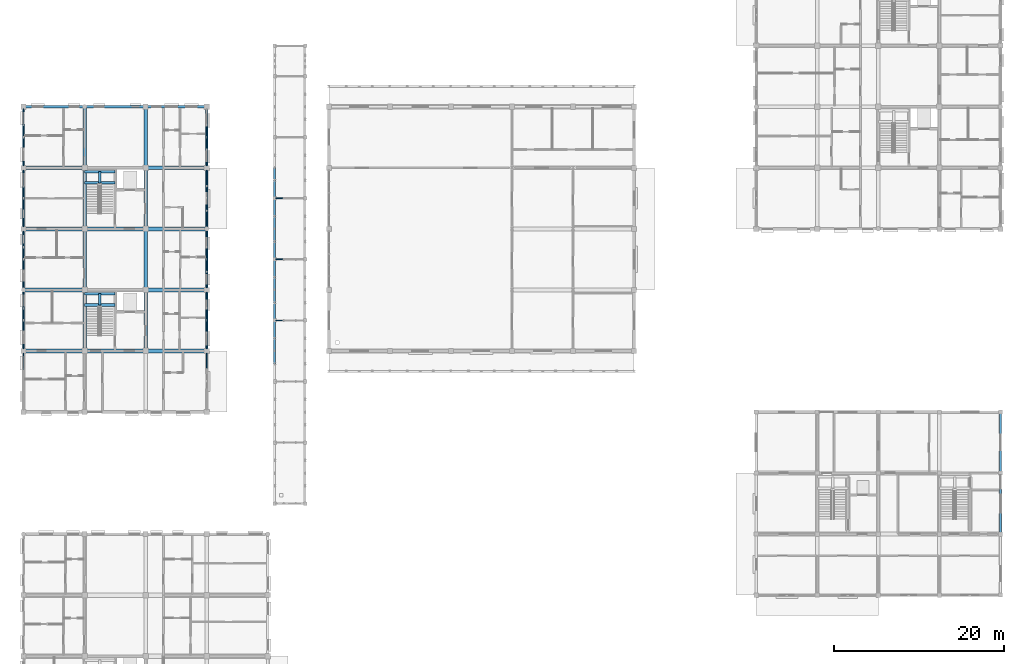
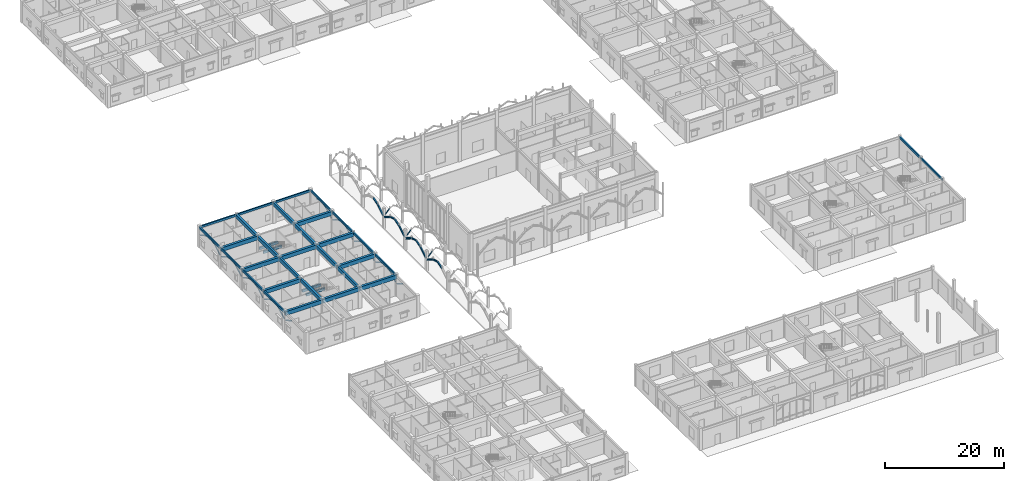
# One storey, part 21 of 138: 49 members, 37 beams.
"""IFC4 building model written with IfcOpenShell, lengths in metres."""

import ifcopenshell
import ifcopenshell.guid

model = None  # the IFC model being written
_history = None  # IfcOwnerHistory: only IFC2X3 demands one
_inside = {}  # id of a spatial element -> (the spatial element, [elements in it])
_under = {}  # id of a project, library or spatial element -> (it, [spatial elements below it])
_declared = {}  # id of a project -> (the project, [libraries it declares])
_typed = {}  # id of a type object -> (the type object, [elements of that type])
_made_of = {}  # id of a material, layer set ... -> (it, [elements and type objects made of it])


def new_model(schema):
    """Start an empty IFC model of exactly this schema.

    Asked for "IFC4X3", IfcOpenShell would pick the latest addendum, in which some entities
    have other attributes; the version numbers below select the first issue.
    IFC2X3 requires an IfcOwnerHistory on every rooted entity: one is made here for all.
    """
    global model, _history
    if schema == "IFC4X3":
        model = ifcopenshell.file(schema_version=(4, 3, 0, 0))
    else:
        model = ifcopenshell.file(schema=schema)
    _inside.clear()
    _under.clear()
    _declared.clear()
    _typed.clear()
    _made_of.clear()
    _history = None
    if model.schema == "IFC2X3":
        org = make("IfcOrganization", Name="unknown")
        user = make(
            "IfcPersonAndOrganization",
            ThePerson=make("IfcPerson", FamilyName="unknown"),
            TheOrganization=org,
        )
        app = make(
            "IfcApplication",
            ApplicationDeveloper=org,
            Version="unknown",
            ApplicationFullName="unknown",
            ApplicationIdentifier="unknown",
        )
        _history = make(
            "IfcOwnerHistory",
            OwningUser=user,
            OwningApplication=app,
            ChangeAction="ADDED",
            CreationDate=0,
        )
    return model


def make(cls, **values):
    """One entity of the class cls with the attributes given. An attribute that is None is left unset."""
    return model.create_entity(
        cls, **{name: value for name, value in values.items() if value is not None}
    )


def rooted(cls, **values):
    """An entity with a GlobalId (a new one), such as an element, a storey or a relation."""
    return make(cls, GlobalId=ifcopenshell.guid.new(), OwnerHistory=_history, **values)


def si_unit(unit_type, name, prefix=None):
    """IfcSIUnit, for example si_unit("LENGTHUNIT", "METRE", prefix="MILLI")."""
    return make("IfcSIUnit", UnitType=unit_type, Prefix=prefix, Name=name)


def assignment(units):
    """IfcUnitAssignment: the units of a project."""
    return None if units is None else make("IfcUnitAssignment", Units=units)


def point(xyz):
    """IfcCartesianPoint."""
    return None if xyz is None else make("IfcCartesianPoint", Coordinates=xyz)


def direction(xyz):
    """IfcDirection."""
    return None if xyz is None else make("IfcDirection", DirectionRatios=xyz)


def frame(location, z_axis=None, x_axis=None):
    """IfcAxis2Placement3D, a coordinate frame: its origin and axes. An axis left out is left unset."""
    return make(
        "IfcAxis2Placement3D",
        Location=point(location),
        Axis=direction(z_axis),
        RefDirection=direction(x_axis),
    )


def frame_2d(location, x_axis=None):
    """IfcAxis2Placement2D, a coordinate frame in the plane: its origin and x axis."""
    return make(
        "IfcAxis2Placement2D", Location=point(location), RefDirection=direction(x_axis)
    )


def origin():
    """The frame at (0, 0, 0) with its axes left unset."""
    return frame((0.0, 0.0, 0.0))


def origin_2d():
    """The frame at (0, 0) in the plane with its x axis left unset."""
    return frame_2d((0.0, 0.0))


def place(relative_to, where):
    """IfcLocalPlacement: puts the frame where relative to a parent placement (None: the world)."""
    return make(
        "IfcLocalPlacement", PlacementRelTo=relative_to, RelativePlacement=where
    )


def context(
    kind, dimensions, precision=None, world=None, true_north=None, identifier=None
):
    """IfcGeometricRepresentationContext, for example the 3D "Model" context."""
    return make(
        "IfcGeometricRepresentationContext",
        ContextIdentifier=identifier,
        ContextType=kind,
        CoordinateSpaceDimension=dimensions,
        Precision=precision,
        WorldCoordinateSystem=world,
        TrueNorth=true_north,
    )


def subcontext(parent, identifier, kind, view, scale=None):
    """IfcGeometricRepresentationSubContext, for example "Body" below "Model"."""
    return make(
        "IfcGeometricRepresentationSubContext",
        ContextIdentifier=identifier,
        ContextType=kind,
        ParentContext=parent,
        TargetScale=scale,
        TargetView=view,
    )


def project(units=None, contexts=None):
    """IfcProject with its units and contexts."""
    return rooted(
        "IfcProject",
        Name="project",
        RepresentationContexts=contexts,
        UnitsInContext=assignment(units),
    )


def spatial(cls, under=None, at=None, **own):
    """A site, building, storey or space (cls), placed at a placement, below another one or the project."""
    s = rooted(cls, ObjectPlacement=at, **own)
    if under is not None:
        _under.setdefault(under.id(), (under, []))[1].append(s)
    return s


def profile(cls, at=None, kind="AREA", **sizes):
    """A parametric profile (cls). Its sizes go by their IFC names, for example OverallWidth=200.0."""
    return make(cls, ProfileType=kind, Position=at, **sizes)


def rectangle(**sizes):
    """IfcRectangleProfileDef."""
    return profile("IfcRectangleProfileDef", **sizes)


def hollow_rectangle(**sizes):
    """IfcRectangleHollowProfileDef."""
    return profile("IfcRectangleHollowProfileDef", **sizes)


def i_section(**sizes):
    """IfcIShapeProfileDef."""
    return profile("IfcIShapeProfileDef", **sizes)


def extrude(swept, where, along, depth):
    """IfcExtrudedAreaSolid: the profile swept, set in the frame where, extruded along a direction by depth."""
    return make(
        "IfcExtrudedAreaSolid",
        SweptArea=swept,
        Position=where,
        ExtrudedDirection=direction(along),
        Depth=depth,
    )


def shape(context_of_items, identifier, shape_type, items):
    """IfcShapeRepresentation: the items that make up one representation, for example the "Body"."""
    return make(
        "IfcShapeRepresentation",
        ContextOfItems=context_of_items,
        RepresentationIdentifier=identifier,
        RepresentationType=shape_type,
        Items=items,
    )


def material(Name=None, Category=None):
    """IfcMaterial."""
    return make("IfcMaterial", Name=Name, Category=Category)


def material_profile(
    of_material, cross_section, Name=None, Category=None, Priority=None
):
    """IfcMaterialProfile: a cross section and its material."""
    return make(
        "IfcMaterialProfile",
        Name=Name,
        Material=of_material,
        Profile=cross_section,
        Priority=Priority,
        Category=Category,
    )


def profile_set(profiles, Name=None, composite=None):
    """IfcMaterialProfileSet."""
    return make(
        "IfcMaterialProfileSet",
        Name=Name,
        MaterialProfiles=profiles,
        CompositeProfile=composite,
    )


def made_of(thing, what):
    """Note that an element or type object is made of a material, layer set ...; save() writes the relation."""
    if what is not None:
        _made_of.setdefault(what.id(), (what, []))[1].append(thing)
    return thing


def type_object(cls, material=None, **own):
    """A type object (cls), such as IfcWallType, which elements share."""
    return made_of(rooted(cls, **own), material)


def element(
    cls,
    number,
    at=None,
    inside=None,
    cuts=None,
    type_object=None,
    material=None,
    context=None,
    identifier="Body",
    shape_type=None,
    held_by="IfcProductDefinitionShape",
    body=None,
    shapes=None,
    **own,
):
    """One element of the class cls, such as IfcWall. Its Tag is "e" and its number.

    at: its placement. inside: the storey or other place that contains it. cuts: it is an
    opening in that element (IfcRelVoidsElement). A single representation is given by context,
    identifier, shape_type and body (its items); several are given by shapes. held_by: the class
    of the entity that holds the representations. save() writes the other relations.
    """
    e = rooted(cls, Tag="e%d" % number, ObjectPlacement=at, **own)
    if body is not None:
        shapes = [shape(context, identifier, shape_type, body)]
    if shapes is not None:
        e.Representation = make(held_by, Representations=shapes)
    if inside is not None:
        _inside.setdefault(inside.id(), (inside, []))[1].append(e)
    if cuts is not None:
        rooted(
            "IfcRelVoidsElement", RelatingBuildingElement=cuts, RelatedOpeningElement=e
        )
    if type_object is not None:
        _typed.setdefault(type_object.id(), (type_object, []))[1].append(e)
    return made_of(e, material)


def aggregate(whole, parts):
    """IfcRelAggregates: a whole, such as a stair, and the parts it consists of."""
    return rooted("IfcRelAggregates", RelatingObject=whole, RelatedObjects=parts)


def save(model, path):
    """Write the relations noted so far, then the file.

    IfcRelAggregates (storeys below a building ...), IfcRelContainedInSpatialStructure (elements
    in a storey), IfcRelDefinesByType, IfcRelAssociatesMaterial and IfcRelDeclares: one each for
    every whole, place, type object, material and project.
    """
    for whole, parts in _under.values():
        aggregate(whole, parts)
    for where, things in _inside.values():
        rooted(
            "IfcRelContainedInSpatialStructure",
            RelatedElements=things,
            RelatingStructure=where,
        )
    for kind, things in _typed.values():
        rooted("IfcRelDefinesByType", RelatedObjects=things, RelatingType=kind)
    for what, things in _made_of.values():
        rooted("IfcRelAssociatesMaterial", RelatedObjects=things, RelatingMaterial=what)
    for by, libraries in _declared.values():
        rooted("IfcRelDeclares", RelatingContext=by, RelatedDefinitions=libraries)
    model.write(path)


model = new_model("IFC4")

# Units and contexts
model_context = context("Model", 3, precision=1e-05, world=origin(), true_north=direction((0.0, 1.0)))
body_context = subcontext(model_context, "Body", "Model", "MODEL_VIEW")
ifc_project = project(units=[si_unit("LENGTHUNIT", "METRE"), si_unit("AREAUNIT", "SQUARE_METRE"), si_unit("VOLUMEUNIT", "CUBIC_METRE"), si_unit("PLANEANGLEUNIT", "RADIAN"), si_unit("MASSUNIT", "GRAM", prefix="KILO"), si_unit("THERMODYNAMICTEMPERATUREUNIT", "KELVIN"), si_unit("POWERUNIT", "WATT")], contexts=[model_context])

# Site, building, storey
site_placement = place(None, origin())
site = spatial("IfcSite", under=ifc_project, at=site_placement, CompositionType="ELEMENT")
building_placement = place(site_placement, origin())
building = spatial("IfcBuilding", under=site, at=building_placement, Name="Tavuni Mirador Residences", CompositionType="ELEMENT")
storey_placement = place(building_placement, origin())
storey = spatial("IfcBuildingStorey", under=building, at=storey_placement, Name="L00", CompositionType="ELEMENT", Elevation=0.0)

# Beams
ifc_material_1 = material(Name="Precast concrete C40/50", Category="concrete")
ifc_material_profile_1 = material_profile(ifc_material_1, rectangle(XDim=0.300048828125, YDim=0.5, at=origin_2d()), Name="PC 300x500", Category="concrete")
ifc_profile_set_1 = profile_set([ifc_material_profile_1], Name="Precast concrete C40/50")
beam_type_1 = type_object("IfcBeamType", Name="BT-B500", PredefinedType="BEAM", material=ifc_profile_set_1)
for number, where, z_axis, x_axis, name in (
    (1, (10.800048828125, 77.419921875, 1.820068359375), (1.0, 0.0, 0.0), (0.0, 1.0, 0.0), "HLB1-C3-L00"),
    (2, (10.800048828125, 78.75, 1.820068359375), (1.0, 0.0, 0.0), (0.0, 1.0, 0.0), "HLB2-C3-L00"),
):
    element("IfcBeam", number, at=place(storey_placement, frame(where, z_axis=z_axis, x_axis=x_axis)), inside=storey, type_object=beam_type_1, Name=name, PredefinedType="BEAM", context=body_context, shape_type="SweptSolid", body=[
        extrude(rectangle(XDim=0.300048828125, YDim=0.5, at=origin_2d()), origin(), (0.0, 0.0, 1.0), 3.599853515625),
    ])
beam_1_placement = place(storey_placement, frame((12.60009765625, 77.419921875, 1.820068359375), z_axis=(0.0, 1.0, 0.0), x_axis=(-1.0, 0.0, 0.0)))
element("IfcBeam", 3, at=beam_1_placement, inside=storey, type_object=beam_type_1, Name="HLB3-C3-L00", PredefinedType="BEAM", context=body_context, shape_type="SweptSolid", body=[
    extrude(rectangle(XDim=0.300048828125, YDim=0.5, at=origin_2d()), origin(), (0.0, 0.0, 1.0), 1.330078125),
])
for number, where, z_axis, x_axis, name in (
    (4, (10.800048828125, 91.820068359375, 1.820068359375), (1.0, 0.0, 0.0), (0.0, 1.0, 0.0), "HLB1-C4-L00"),
    (5, (10.800048828125, 93.14990234375, 1.820068359375), (1.0, 0.0, 0.0), (0.0, 1.0, 0.0), "HLB2-C4-L00"),
):
    element("IfcBeam", number, at=place(storey_placement, frame(where, z_axis=z_axis, x_axis=x_axis)), inside=storey, type_object=beam_type_1, Name=name, PredefinedType="BEAM", context=body_context, shape_type="SweptSolid", body=[
        extrude(rectangle(XDim=0.300048828125, YDim=0.5, at=origin_2d()), origin(), (0.0, 0.0, 1.0), 3.599853515625),
    ])
beam_2_placement = place(storey_placement, frame((12.60009765625, 91.820068359375, 1.820068359375), z_axis=(0.0, 1.0, 0.0), x_axis=(-1.0, 0.0, 0.0)))
element("IfcBeam", 6, at=beam_2_placement, inside=storey, type_object=beam_type_1, Name="HLB3-C4-L00", PredefinedType="BEAM", context=body_context, shape_type="SweptSolid", body=[
    extrude(rectangle(XDim=0.300048828125, YDim=0.5, at=origin_2d()), origin(), (0.0, 0.0, 1.0), 1.329833984375),
])
ifc_material_profile_2 = material_profile(ifc_material_1, rectangle(XDim=0.39990234375, YDim=0.75, at=origin_2d()), Name="RC 400x750", Category="concrete")
ifc_profile_set_2 = profile_set([ifc_material_profile_2], Name="Precast concrete C40/50")
beam_type_2 = type_object("IfcBeamType", Name="BT-G750", PredefinedType="USERDEFINED", material=ifc_profile_set_2)
for number, where, z_axis, x_axis, name in (
    (7, (10.800048828125, 72.0, 3.885009765625), (0.0, 1.0, 0.0), (-1.0, 0.0, 0.0), "BMY-BLK-B-L00-01-01"),
    (8, (10.800048828125, 79.199951171875, 3.885009765625), (0.0, 1.0, 0.0), (-1.0, 0.0, 0.0), "BMY-BLK-B-L00-01-02"),
):
    element("IfcBeam", number, at=place(storey_placement, frame(where, z_axis=z_axis, x_axis=x_axis)), inside=storey, type_object=beam_type_2, Name=name, ObjectType="GIRDER", PredefinedType="USERDEFINED", context=body_context, shape_type="SweptSolid", body=[
        extrude(rectangle(XDim=0.39990234375, YDim=0.75, at=origin_2d()), origin(), (0.0, 0.0, 1.0), 7.199951171875),
    ])
beam_3_placement = place(storey_placement, frame((10.800048828125, 86.39990234375, 3.885009765625), z_axis=(0.0, 1.0, 0.0), x_axis=(-1.0, 0.0, 0.0)))
element("IfcBeam", 9, at=beam_3_placement, inside=storey, type_object=beam_type_2, Name="BMY-BLK-B-L00-01-03", ObjectType="GIRDER", PredefinedType="USERDEFINED", context=body_context, shape_type="SweptSolid", body=[
    extrude(rectangle(XDim=0.39990234375, YDim=0.75, at=origin_2d()), origin(), (0.0, 0.0, 1.0), 7.2001953125),
])
for number, where, z_axis, x_axis, name in (
    (10, (10.800048828125, 93.60009765625, 3.885009765625), (0.0, 1.0, 0.0), (-1.0, 0.0, 0.0), "BMY-BLK-B-L00-01-04"),
    (11, (18.0, 72.0, 3.885009765625), (0.0, 1.0, 0.0), (-1.0, 0.0, 0.0), "BMY-BLK-B-L00-02-01"),
    (12, (18.0, 79.199951171875, 3.885009765625), (0.0, 1.0, 0.0), (-1.0, 0.0, 0.0), "BMY-BLK-B-L00-02-02"),
):
    element("IfcBeam", number, at=place(storey_placement, frame(where, z_axis=z_axis, x_axis=x_axis)), inside=storey, type_object=beam_type_2, Name=name, ObjectType="GIRDER", PredefinedType="USERDEFINED", context=body_context, shape_type="SweptSolid", body=[
        extrude(rectangle(XDim=0.39990234375, YDim=0.75, at=origin_2d()), origin(), (0.0, 0.0, 1.0), 7.199951171875),
    ])
beam_4_placement = place(storey_placement, frame((18.0, 86.39990234375, 3.885009765625), z_axis=(0.0, 1.0, 0.0), x_axis=(-1.0, 0.0, 0.0)))
element("IfcBeam", 13, at=beam_4_placement, inside=storey, type_object=beam_type_2, Name="BMY-BLK-B-L00-02-03", ObjectType="GIRDER", PredefinedType="USERDEFINED", context=body_context, shape_type="SweptSolid", body=[
    extrude(rectangle(XDim=0.39990234375, YDim=0.75, at=origin_2d()), origin(), (0.0, 0.0, 1.0), 7.2001953125),
])
beam_5_placement = place(storey_placement, frame((18.0, 93.60009765625, 3.885009765625), z_axis=(0.0, 1.0, 0.0), x_axis=(-1.0, 0.0, 0.0)))
element("IfcBeam", 14, at=beam_5_placement, inside=storey, type_object=beam_type_2, Name="BMY-BLK-B-L00-02-04", ObjectType="GIRDER", PredefinedType="USERDEFINED", context=body_context, shape_type="SweptSolid", body=[
    extrude(rectangle(XDim=0.39990234375, YDim=0.75, at=origin_2d()), origin(), (0.0, 0.0, 1.0), 7.199951171875),
])
ifc_material_profile_3 = material_profile(ifc_material_1, rectangle(XDim=0.449951171875, YDim=0.800048828125, at=origin_2d()), Name="RC 450x800", Category="concrete")
ifc_profile_set_3 = profile_set([ifc_material_profile_3], Name="Precast concrete C40/50")
beam_type_3 = type_object("IfcBeamType", Name="BT-G800", PredefinedType="USERDEFINED", material=ifc_profile_set_3)
for number, where, z_axis, x_axis, name in (
    (15, (3.60009765625, 72.0, 3.860107421875), (1.0, 0.0, 0.0), (0.0, 1.0, 0.0), "BMX-BLK-B-L00-00-01"),
    (16, (10.800048828125, 72.0, 3.860107421875), (1.0, 0.0, 0.0), (0.0, 1.0, 0.0), "BMX-BLK-B-L00-01-01"),
    (17, (18.0, 72.0, 3.860107421875), (1.0, 0.0, 0.0), (0.0, 1.0, 0.0), "BMX-BLK-B-L00-02-01"),
    (18, (3.60009765625, 79.199951171875, 3.860107421875), (1.0, 0.0, 0.0), (0.0, 1.0, 0.0), "BMX-BLK-B-L00-00-02"),
    (19, (18.0, 79.199951171875, 3.860107421875), (1.0, 0.0, 0.0), (0.0, 1.0, 0.0), "BMX-BLK-B-L00-02-02"),
    (20, (3.60009765625, 86.39990234375, 3.860107421875), (1.0, 0.0, 0.0), (0.0, 1.0, 0.0), "BMX-BLK-B-L00-00-03"),
    (21, (10.800048828125, 86.39990234375, 3.860107421875), (1.0, 0.0, 0.0), (0.0, 1.0, 0.0), "BMX-BLK-B-L00-01-03"),
    (22, (18.0, 86.39990234375, 3.860107421875), (1.0, 0.0, 0.0), (0.0, 1.0, 0.0), "BMX-BLK-B-L00-02-03"),
    (23, (3.60009765625, 93.60009765625, 3.860107421875), (1.0, 0.0, 0.0), (0.0, 1.0, 0.0), "BMX-BLK-B-L00-00-04"),
    (24, (18.0, 93.60009765625, 3.860107421875), (1.0, 0.0, 0.0), (0.0, 1.0, 0.0), "BMX-BLK-B-L00-02-04"),
):
    element("IfcBeam", number, at=place(storey_placement, frame(where, z_axis=z_axis, x_axis=x_axis)), inside=storey, type_object=beam_type_3, Name=name, ObjectType="GIRDER", PredefinedType="USERDEFINED", context=body_context, shape_type="SweptSolid", body=[
        extrude(rectangle(XDim=0.449951171875, YDim=0.800048828125, at=origin_2d()), origin(), (0.0, 0.0, 1.0), 7.199951171875),
    ])
ifc_material_profile_4 = material_profile(ifc_material_1, rectangle(XDim=0.25, YDim=0.419921875, at=origin_2d()), Name="PC 250x420", Category="concrete")
ifc_profile_set_4 = profile_set([ifc_material_profile_4], Name="Precast concrete C40/50")
beam_type_4 = type_object("IfcBeamType", Name="BT-SP420", PredefinedType="SPANDREL", material=ifc_profile_set_4)
for number, where, z_axis, x_axis, name in (
    (25, (3.60009765625, 100.800048828125, 4.050048828125), (1.0, 0.0, 0.0), (0.0, 1.0, 0.0), "BMX-BLK-B-L00-00-05"),
    (26, (10.800048828125, 100.800048828125, 4.050048828125), (1.0, 0.0, 0.0), (0.0, 1.0, 0.0), "BMX-BLK-B-L00-01-05"),
    (27, (18.0, 100.800048828125, 4.050048828125), (1.0, 0.0, 0.0), (0.0, 1.0, 0.0), "BMX-BLK-B-L00-02-05"),
    (28, (3.60009765625, 72.0, 4.050048828125), (0.0, 1.0, 0.0), (-1.0, 0.0, 0.0), "BMY-BLK-B-L00-00-01"),
    (29, (3.60009765625, 79.199951171875, 4.050048828125), (0.0, 1.0, 0.0), (-1.0, 0.0, 0.0), "BMY-BLK-B-L00-00-02"),
):
    element("IfcBeam", number, at=place(storey_placement, frame(where, z_axis=z_axis, x_axis=x_axis)), inside=storey, type_object=beam_type_4, Name=name, PredefinedType="SPANDREL", context=body_context, shape_type="SweptSolid", body=[
        extrude(rectangle(XDim=0.25, YDim=0.419921875, at=origin_2d()), origin(), (0.0, 0.0, 1.0), 7.199951171875),
    ])
beam_6_placement = place(storey_placement, frame((3.60009765625, 86.39990234375, 4.050048828125), z_axis=(0.0, 1.0, 0.0), x_axis=(-1.0, 0.0, 0.0)))
element("IfcBeam", 30, at=beam_6_placement, inside=storey, type_object=beam_type_4, Name="BMY-BLK-B-L00-00-03", PredefinedType="SPANDREL", context=body_context, shape_type="SweptSolid", body=[
    extrude(rectangle(XDim=0.25, YDim=0.419921875, at=origin_2d()), origin(), (0.0, 0.0, 1.0), 7.2001953125),
])
for number, where, z_axis, x_axis, name in (
    (31, (3.60009765625, 93.60009765625, 4.050048828125), (0.0, 1.0, 0.0), (-1.0, 0.0, 0.0), "BMY-BLK-B-L00-00-04"),
    (32, (25.199951171875, 72.0, 4.050048828125), (0.0, 1.0, 0.0), (-1.0, 0.0, 0.0), "BMY-BLK-B-L00-03-01"),
    (33, (25.199951171875, 79.199951171875, 4.050048828125), (0.0, 1.0, 0.0), (-1.0, 0.0, 0.0), "BMY-BLK-B-L00-03-02"),
):
    element("IfcBeam", number, at=place(storey_placement, frame(where, z_axis=z_axis, x_axis=x_axis)), inside=storey, type_object=beam_type_4, Name=name, PredefinedType="SPANDREL", context=body_context, shape_type="SweptSolid", body=[
        extrude(rectangle(XDim=0.25, YDim=0.419921875, at=origin_2d()), origin(), (0.0, 0.0, 1.0), 7.199951171875),
    ])
beam_7_placement = place(storey_placement, frame((25.199951171875, 86.39990234375, 4.050048828125), z_axis=(0.0, 1.0, 0.0), x_axis=(-1.0, 0.0, 0.0)))
element("IfcBeam", 34, at=beam_7_placement, inside=storey, type_object=beam_type_4, Name="BMY-BLK-B-L00-03-03", PredefinedType="SPANDREL", context=body_context, shape_type="SweptSolid", body=[
    extrude(rectangle(XDim=0.25, YDim=0.419921875, at=origin_2d()), origin(), (0.0, 0.0, 1.0), 7.2001953125),
])
beam_8_placement = place(storey_placement, frame((25.199951171875, 93.60009765625, 4.050048828125), z_axis=(0.0, 1.0, 0.0), x_axis=(-1.0, 0.0, 0.0)))
element("IfcBeam", 35, at=beam_8_placement, inside=storey, type_object=beam_type_4, Name="BMY-BLK-B-L00-03-04", PredefinedType="SPANDREL", context=body_context, shape_type="SweptSolid", body=[
    extrude(rectangle(XDim=0.25, YDim=0.419921875, at=origin_2d()), origin(), (0.0, 0.0, 1.0), 7.199951171875),
])
beam_9_placement = place(storey_placement, frame((118.800048828125, 50.39990234375, 4.050048828125), z_axis=(0.0, 1.0, 0.0), x_axis=(-1.0, 0.0, 0.0)))
element("IfcBeam", 36, at=beam_9_placement, inside=storey, type_object=beam_type_4, Name="BMY-PAV-NURS-L00-04-01", PredefinedType="SPANDREL", context=body_context, shape_type="SweptSolid", body=[
    extrude(rectangle(XDim=0.25, YDim=0.419921875, at=origin_2d()), origin(), (0.0, 0.0, 1.0), 7.2001953125),
])
beam_10_placement = place(storey_placement, frame((118.800048828125, 57.60009765625, 4.050048828125), z_axis=(0.0, 1.0, 0.0), x_axis=(-1.0, 0.0, 0.0)))
element("IfcBeam", 37, at=beam_10_placement, inside=storey, type_object=beam_type_4, Name="BMY-PAV-NURS-L00-04-02", PredefinedType="SPANDREL", context=body_context, shape_type="SweptSolid", body=[
    extrude(rectangle(XDim=0.25, YDim=0.419921875, at=origin_2d()), origin(), (0.0, 0.0, 1.0), 7.199951171875),
])

# Members
ifc_material_2 = material(Name="Structural steel S355", Category="steel")
ifc_material_profile_5 = material_profile(ifc_material_2, hollow_rectangle(XDim=0.10009765625, YDim=0.14990234375, WallThickness=0.008056640625, at=origin_2d()), Name="RHS 150x100x8.0", Category="steel")
ifc_profile_set_5 = profile_set([ifc_material_profile_5], Name="Structural steel S355")
member_type_1 = type_object("IfcMemberType", Name="MT-BR-RHS150", PredefinedType="BRACE", material=ifc_profile_set_5)
for number, where, z_axis, x_axis, name in (
    (38, (33.409912109375, 75.60009765625, 2.75), (0.680966584085, 0.0, 0.732314489383), (0.0, 1.0, 0.0), "ARCH-COLO-T-03-H1"),
    (39, (33.409912109375, 82.800048828125, 2.75), (0.680966584085, 0.0, 0.732314489383), (0.0, 1.0, 0.0), "ARCH-COLO-T-04-H1"),
    (40, (33.409912109375, 90.0, 2.75), (0.680966584085, 0.0, 0.732314489383), (0.0, 1.0, 0.0), "ARCH-COLO-T-05-H1"),
):
    element("IfcMember", number, at=place(storey_placement, frame(where, z_axis=z_axis, x_axis=x_axis)), inside=storey, type_object=member_type_1, Name=name, PredefinedType="BRACE", context=body_context, shape_type="SweptSolid", body=[
        extrude(hollow_rectangle(XDim=0.10009765625, YDim=0.14990234375, WallThickness=0.008056640625, at=origin_2d()), origin(), (0.0, 0.0, 1.0), 1.3076171875),
    ])
for number, where, z_axis, x_axis, name in (
    (41, (3.60009765625, 69.85205078125, 3.6298828125), (0.0, 0.863393885315, -0.504530473609), (-1.0, 0.0, 0.0), "ARCH-BLKB-W-00-H2"),
    (42, (3.60009765625, 72.300048828125, 2.550048828125), (0.0, 0.863393885315, 0.504530473609), (-1.0, 0.0, 0.0), "ARCH-BLKB-W-01-H1"),
):
    element("IfcMember", number, at=place(storey_placement, frame(where, z_axis=z_axis, x_axis=x_axis)), inside=storey, type_object=member_type_1, Name=name, PredefinedType="BRACE", context=body_context, shape_type="SweptSolid", body=[
        extrude(hollow_rectangle(XDim=0.10009765625, YDim=0.14990234375, WallThickness=0.008056640625, at=origin_2d()), origin(), (0.0, 0.0, 1.0), 2.140380859375),
    ])
member_1_placement = place(storey_placement, frame((3.60009765625, 74.14794921875, 3.6298828125), z_axis=(0.0, 0.960598311393, 0.277940432735), x_axis=(-1.0, 0.0, 0.0)))
element("IfcMember", 43, at=member_1_placement, inside=storey, type_object=member_type_1, Name="ARCH-BLKB-W-01-S1", PredefinedType="BRACE", context=body_context, shape_type="SweptSolid", body=[
    extrude(hollow_rectangle(XDim=0.10009765625, YDim=0.14990234375, WallThickness=0.008056640625, at=origin_2d()), origin(), (0.0, 0.0, 1.0), 1.51171875),
])
member_2_placement = place(storey_placement, frame((3.60009765625, 75.60009765625, 4.050048828125), z_axis=(0.0, 0.960585832519, -0.277983557721), x_axis=(-1.0, 0.0, 0.0)))
element("IfcMember", 44, at=member_2_placement, inside=storey, type_object=member_type_1, Name="ARCH-BLKB-W-01-S2", PredefinedType="BRACE", context=body_context, shape_type="SweptSolid", body=[
    extrude(hollow_rectangle(XDim=0.10009765625, YDim=0.14990234375, WallThickness=0.008056640625, at=origin_2d()), origin(), (0.0, 0.0, 1.0), 1.511474609375),
])
for number, where, z_axis, x_axis, name in (
    (45, (3.60009765625, 77.052001953125, 3.6298828125), (0.0, 0.863393885315, -0.504530473609), (-1.0, 0.0, 0.0), "ARCH-BLKB-W-01-H2"),
    (46, (3.60009765625, 79.5, 2.550048828125), (0.0, 0.863393885315, 0.504530473609), (-1.0, 0.0, 0.0), "ARCH-BLKB-W-02-H1"),
):
    element("IfcMember", number, at=place(storey_placement, frame(where, z_axis=z_axis, x_axis=x_axis)), inside=storey, type_object=member_type_1, Name=name, PredefinedType="BRACE", context=body_context, shape_type="SweptSolid", body=[
        extrude(hollow_rectangle(XDim=0.10009765625, YDim=0.14990234375, WallThickness=0.008056640625, at=origin_2d()), origin(), (0.0, 0.0, 1.0), 2.140380859375),
    ])
member_3_placement = place(storey_placement, frame((3.60009765625, 81.347900390625, 3.6298828125), z_axis=(0.0, 0.960598311393, 0.277940432735), x_axis=(-1.0, 0.0, 0.0)))
element("IfcMember", 47, at=member_3_placement, inside=storey, type_object=member_type_1, Name="ARCH-BLKB-W-02-S1", PredefinedType="BRACE", context=body_context, shape_type="SweptSolid", body=[
    extrude(hollow_rectangle(XDim=0.10009765625, YDim=0.14990234375, WallThickness=0.008056640625, at=origin_2d()), origin(), (0.0, 0.0, 1.0), 1.51171875),
])
member_4_placement = place(storey_placement, frame((3.60009765625, 82.800048828125, 4.050048828125), z_axis=(0.0, 0.960585832519, -0.277983557721), x_axis=(-1.0, 0.0, 0.0)))
element("IfcMember", 48, at=member_4_placement, inside=storey, type_object=member_type_1, Name="ARCH-BLKB-W-02-S2", PredefinedType="BRACE", context=body_context, shape_type="SweptSolid", body=[
    extrude(hollow_rectangle(XDim=0.10009765625, YDim=0.14990234375, WallThickness=0.008056640625, at=origin_2d()), origin(), (0.0, 0.0, 1.0), 1.511474609375),
])
for number, where, z_axis, x_axis, name in (
    (49, (3.60009765625, 84.251953125, 3.6298828125), (0.0, 0.863422917593, -0.504480787915), (-1.0, 0.0, 0.0), "ARCH-BLKB-W-02-H2"),
    (50, (3.60009765625, 86.699951171875, 2.550048828125), (0.0, 0.863422917593, 0.504480787915), (-1.0, 0.0, 0.0), "ARCH-BLKB-W-03-H1"),
):
    element("IfcMember", number, at=place(storey_placement, frame(where, z_axis=z_axis, x_axis=x_axis)), inside=storey, type_object=member_type_1, Name=name, PredefinedType="BRACE", context=body_context, shape_type="SweptSolid", body=[
        extrude(hollow_rectangle(XDim=0.10009765625, YDim=0.14990234375, WallThickness=0.008056640625, at=origin_2d()), origin(), (0.0, 0.0, 1.0), 2.140380859375),
    ])
for number, where, z_axis, x_axis, name in (
    (51, (3.60009765625, 88.548095703125, 3.6298828125), (0.0, 0.960585832519, 0.277983557721), (-1.0, 0.0, 0.0), "ARCH-BLKB-W-03-S1"),
    (52, (3.60009765625, 90.0, 4.050048828125), (0.0, 0.960585832519, -0.277983557721), (-1.0, 0.0, 0.0), "ARCH-BLKB-W-03-S2"),
):
    element("IfcMember", number, at=place(storey_placement, frame(where, z_axis=z_axis, x_axis=x_axis)), inside=storey, type_object=member_type_1, Name=name, PredefinedType="BRACE", context=body_context, shape_type="SweptSolid", body=[
        extrude(hollow_rectangle(XDim=0.10009765625, YDim=0.14990234375, WallThickness=0.008056640625, at=origin_2d()), origin(), (0.0, 0.0, 1.0), 1.511474609375),
    ])
for number, where, z_axis, x_axis, name in (
    (53, (3.60009765625, 91.451904296875, 3.6298828125), (0.0, 0.863422917593, -0.504480787915), (-1.0, 0.0, 0.0), "ARCH-BLKB-W-03-H2"),
    (54, (3.60009765625, 93.89990234375, 2.550048828125), (0.0, 0.863422917593, 0.504480787915), (-1.0, 0.0, 0.0), "ARCH-BLKB-W-04-H1"),
):
    element("IfcMember", number, at=place(storey_placement, frame(where, z_axis=z_axis, x_axis=x_axis)), inside=storey, type_object=member_type_1, Name=name, PredefinedType="BRACE", context=body_context, shape_type="SweptSolid", body=[
        extrude(hollow_rectangle(XDim=0.10009765625, YDim=0.14990234375, WallThickness=0.008056640625, at=origin_2d()), origin(), (0.0, 0.0, 1.0), 2.140380859375),
    ])
member_5_placement = place(storey_placement, frame((3.60009765625, 95.748046875, 3.6298828125), z_axis=(0.0, 0.960585832519, 0.277983557721), x_axis=(-1.0, 0.0, 0.0)))
element("IfcMember", 55, at=member_5_placement, inside=storey, type_object=member_type_1, Name="ARCH-BLKB-W-04-S1", PredefinedType="BRACE", context=body_context, shape_type="SweptSolid", body=[
    extrude(hollow_rectangle(XDim=0.10009765625, YDim=0.14990234375, WallThickness=0.008056640625, at=origin_2d()), origin(), (0.0, 0.0, 1.0), 1.511474609375),
])
member_6_placement = place(storey_placement, frame((3.60009765625, 97.199951171875, 4.050048828125), z_axis=(0.0, 0.960598311393, -0.277940432735), x_axis=(-1.0, 0.0, 0.0)))
element("IfcMember", 56, at=member_6_placement, inside=storey, type_object=member_type_1, Name="ARCH-BLKB-W-04-S2", PredefinedType="BRACE", context=body_context, shape_type="SweptSolid", body=[
    extrude(hollow_rectangle(XDim=0.10009765625, YDim=0.14990234375, WallThickness=0.008056640625, at=origin_2d()), origin(), (0.0, 0.0, 1.0), 1.51171875),
])
for number, where, z_axis, x_axis, name in (
    (57, (3.60009765625, 98.652099609375, 3.6298828125), (0.0, 0.863393885315, -0.504530473609), (-1.0, 0.0, 0.0), "ARCH-BLKB-W-04-H2"),
    (58, (25.199951171875, 69.85205078125, 3.6298828125), (0.0, 0.863393885315, -0.504530473609), (-1.0, 0.0, 0.0), "ARCH-BLKB-E-00-H2"),
    (59, (25.199951171875, 72.300048828125, 2.550048828125), (0.0, 0.863393885315, 0.504530473609), (-1.0, 0.0, 0.0), "ARCH-BLKB-E-01-H1"),
):
    element("IfcMember", number, at=place(storey_placement, frame(where, z_axis=z_axis, x_axis=x_axis)), inside=storey, type_object=member_type_1, Name=name, PredefinedType="BRACE", context=body_context, shape_type="SweptSolid", body=[
        extrude(hollow_rectangle(XDim=0.10009765625, YDim=0.14990234375, WallThickness=0.008056640625, at=origin_2d()), origin(), (0.0, 0.0, 1.0), 2.140380859375),
    ])
member_7_placement = place(storey_placement, frame((25.199951171875, 74.14794921875, 3.6298828125), z_axis=(0.0, 0.960598311393, 0.277940432735), x_axis=(-1.0, 0.0, 0.0)))
element("IfcMember", 60, at=member_7_placement, inside=storey, type_object=member_type_1, Name="ARCH-BLKB-E-01-S1", PredefinedType="BRACE", context=body_context, shape_type="SweptSolid", body=[
    extrude(hollow_rectangle(XDim=0.10009765625, YDim=0.14990234375, WallThickness=0.008056640625, at=origin_2d()), origin(), (0.0, 0.0, 1.0), 1.51171875),
])
member_8_placement = place(storey_placement, frame((25.199951171875, 75.60009765625, 4.050048828125), z_axis=(0.0, 0.960585832519, -0.277983557721), x_axis=(-1.0, 0.0, 0.0)))
element("IfcMember", 61, at=member_8_placement, inside=storey, type_object=member_type_1, Name="ARCH-BLKB-E-01-S2", PredefinedType="BRACE", context=body_context, shape_type="SweptSolid", body=[
    extrude(hollow_rectangle(XDim=0.10009765625, YDim=0.14990234375, WallThickness=0.008056640625, at=origin_2d()), origin(), (0.0, 0.0, 1.0), 1.511474609375),
])
for number, where, z_axis, x_axis, name in (
    (62, (25.199951171875, 77.052001953125, 3.6298828125), (0.0, 0.863393885315, -0.504530473609), (-1.0, 0.0, 0.0), "ARCH-BLKB-E-01-H2"),
    (63, (25.199951171875, 79.5, 2.550048828125), (0.0, 0.863393885315, 0.504530473609), (-1.0, 0.0, 0.0), "ARCH-BLKB-E-02-H1"),
):
    element("IfcMember", number, at=place(storey_placement, frame(where, z_axis=z_axis, x_axis=x_axis)), inside=storey, type_object=member_type_1, Name=name, PredefinedType="BRACE", context=body_context, shape_type="SweptSolid", body=[
        extrude(hollow_rectangle(XDim=0.10009765625, YDim=0.14990234375, WallThickness=0.008056640625, at=origin_2d()), origin(), (0.0, 0.0, 1.0), 2.140380859375),
    ])
member_9_placement = place(storey_placement, frame((25.199951171875, 81.347900390625, 3.6298828125), z_axis=(0.0, 0.960598311393, 0.277940432735), x_axis=(-1.0, 0.0, 0.0)))
element("IfcMember", 64, at=member_9_placement, inside=storey, type_object=member_type_1, Name="ARCH-BLKB-E-02-S1", PredefinedType="BRACE", context=body_context, shape_type="SweptSolid", body=[
    extrude(hollow_rectangle(XDim=0.10009765625, YDim=0.14990234375, WallThickness=0.008056640625, at=origin_2d()), origin(), (0.0, 0.0, 1.0), 1.51171875),
])
member_10_placement = place(storey_placement, frame((25.199951171875, 82.800048828125, 4.050048828125), z_axis=(0.0, 0.960585832519, -0.277983557721), x_axis=(-1.0, 0.0, 0.0)))
element("IfcMember", 65, at=member_10_placement, inside=storey, type_object=member_type_1, Name="ARCH-BLKB-E-02-S2", PredefinedType="BRACE", context=body_context, shape_type="SweptSolid", body=[
    extrude(hollow_rectangle(XDim=0.10009765625, YDim=0.14990234375, WallThickness=0.008056640625, at=origin_2d()), origin(), (0.0, 0.0, 1.0), 1.511474609375),
])
for number, where, z_axis, x_axis, name in (
    (66, (25.199951171875, 84.251953125, 3.6298828125), (0.0, 0.863422917593, -0.504480787915), (-1.0, 0.0, 0.0), "ARCH-BLKB-E-02-H2"),
    (67, (25.199951171875, 86.699951171875, 2.550048828125), (0.0, 0.863422917593, 0.504480787915), (-1.0, 0.0, 0.0), "ARCH-BLKB-E-03-H1"),
):
    element("IfcMember", number, at=place(storey_placement, frame(where, z_axis=z_axis, x_axis=x_axis)), inside=storey, type_object=member_type_1, Name=name, PredefinedType="BRACE", context=body_context, shape_type="SweptSolid", body=[
        extrude(hollow_rectangle(XDim=0.10009765625, YDim=0.14990234375, WallThickness=0.008056640625, at=origin_2d()), origin(), (0.0, 0.0, 1.0), 2.140380859375),
    ])
for number, where, z_axis, x_axis, name in (
    (68, (25.199951171875, 88.548095703125, 3.6298828125), (0.0, 0.960585832519, 0.277983557721), (-1.0, 0.0, 0.0), "ARCH-BLKB-E-03-S1"),
    (69, (25.199951171875, 90.0, 4.050048828125), (0.0, 0.960585832519, -0.277983557721), (-1.0, 0.0, 0.0), "ARCH-BLKB-E-03-S2"),
):
    element("IfcMember", number, at=place(storey_placement, frame(where, z_axis=z_axis, x_axis=x_axis)), inside=storey, type_object=member_type_1, Name=name, PredefinedType="BRACE", context=body_context, shape_type="SweptSolid", body=[
        extrude(hollow_rectangle(XDim=0.10009765625, YDim=0.14990234375, WallThickness=0.008056640625, at=origin_2d()), origin(), (0.0, 0.0, 1.0), 1.511474609375),
    ])
for number, where, z_axis, x_axis, name in (
    (70, (25.199951171875, 91.451904296875, 3.6298828125), (0.0, 0.863422917593, -0.504480787915), (-1.0, 0.0, 0.0), "ARCH-BLKB-E-03-H2"),
    (71, (25.199951171875, 93.89990234375, 2.550048828125), (0.0, 0.863422917593, 0.504480787915), (-1.0, 0.0, 0.0), "ARCH-BLKB-E-04-H1"),
):
    element("IfcMember", number, at=place(storey_placement, frame(where, z_axis=z_axis, x_axis=x_axis)), inside=storey, type_object=member_type_1, Name=name, PredefinedType="BRACE", context=body_context, shape_type="SweptSolid", body=[
        extrude(hollow_rectangle(XDim=0.10009765625, YDim=0.14990234375, WallThickness=0.008056640625, at=origin_2d()), origin(), (0.0, 0.0, 1.0), 2.140380859375),
    ])
member_11_placement = place(storey_placement, frame((25.199951171875, 95.748046875, 3.6298828125), z_axis=(0.0, 0.960585832519, 0.277983557721), x_axis=(-1.0, 0.0, 0.0)))
element("IfcMember", 72, at=member_11_placement, inside=storey, type_object=member_type_1, Name="ARCH-BLKB-E-04-S1", PredefinedType="BRACE", context=body_context, shape_type="SweptSolid", body=[
    extrude(hollow_rectangle(XDim=0.10009765625, YDim=0.14990234375, WallThickness=0.008056640625, at=origin_2d()), origin(), (0.0, 0.0, 1.0), 1.511474609375),
])
member_12_placement = place(storey_placement, frame((25.199951171875, 97.199951171875, 4.050048828125), z_axis=(0.0, 0.960598311393, -0.277940432735), x_axis=(-1.0, 0.0, 0.0)))
element("IfcMember", 73, at=member_12_placement, inside=storey, type_object=member_type_1, Name="ARCH-BLKB-E-04-S2", PredefinedType="BRACE", context=body_context, shape_type="SweptSolid", body=[
    extrude(hollow_rectangle(XDim=0.10009765625, YDim=0.14990234375, WallThickness=0.008056640625, at=origin_2d()), origin(), (0.0, 0.0, 1.0), 1.51171875),
])
ifc_material_profile_6 = material_profile(ifc_material_2, i_section(OverallWidth=0.239990234375, OverallDepth=0.22998046875, WebThickness=0.007568359375, FlangeThickness=0.011962890625, FilletRadius=0.02099609375, at=origin_2d()), Name="HEA 240", Category="steel")
ifc_profile_set_6 = profile_set([ifc_material_profile_6], Name="Structural steel S355")
member_type_2 = type_object("IfcMemberType", Name="MT-CH-HEA240", PredefinedType="CHORD", material=ifc_profile_set_6)
for number, where, z_axis, x_axis, name in (
    (74, (33.199951171875, 70.50830078125, 3.62353515625), (0.0, 0.95621783268, 0.292655866958), (-1.0, 0.0, 0.0), "ARCH-COLO-W-02-S1"),
    (75, (33.199951171875, 72.0, 4.080078125), (0.0, 0.95621783268, -0.292655866958), (-1.0, 0.0, 0.0), "ARCH-COLO-W-02-S2"),
):
    element("IfcMember", number, at=place(storey_placement, frame(where, z_axis=z_axis, x_axis=x_axis)), inside=storey, type_object=member_type_2, Name=name, PredefinedType="CHORD", context=body_context, shape_type="SweptSolid", body=[
        extrude(i_section(OverallWidth=0.239990234375, OverallDepth=0.22998046875, WebThickness=0.007568359375, FlangeThickness=0.011962890625, FilletRadius=0.02099609375, at=origin_2d()), origin(), (0.0, 0.0, 1.0), 1.56005859375),
    ])
member_13_placement = place(storey_placement, frame((33.199951171875, 73.49169921875, 3.62353515625), z_axis=(0.0, 0.850563431317, -0.525872464867), x_axis=(-1.0, 0.0, 0.0)))
element("IfcMember", 76, at=member_13_placement, inside=storey, type_object=member_type_2, Name="ARCH-COLO-W-02-H2", PredefinedType="CHORD", context=body_context, shape_type="SweptSolid", body=[
    extrude(i_section(OverallWidth=0.239990234375, OverallDepth=0.22998046875, WebThickness=0.007568359375, FlangeThickness=0.011962890625, FilletRadius=0.02099609375, at=origin_2d()), origin(), (0.0, 0.0, 1.0), 2.231689453125),
])
member_14_placement = place(storey_placement, frame((33.199951171875, 75.81005859375, 2.449951171875), z_axis=(0.0, 0.850593680007, 0.525823536496), x_axis=(-1.0, 0.0, 0.0)))
element("IfcMember", 77, at=member_14_placement, inside=storey, type_object=member_type_2, Name="ARCH-COLO-W-03-H1", PredefinedType="CHORD", context=body_context, shape_type="SweptSolid", body=[
    extrude(i_section(OverallWidth=0.239990234375, OverallDepth=0.22998046875, WebThickness=0.007568359375, FlangeThickness=0.011962890625, FilletRadius=0.02099609375, at=origin_2d()), origin(), (0.0, 0.0, 1.0), 2.23193359375),
])
member_15_placement = place(storey_placement, frame((33.199951171875, 77.70849609375, 3.62353515625), z_axis=(0.0, 0.956204425804, 0.292699668727), x_axis=(-1.0, 0.0, 0.0)))
element("IfcMember", 78, at=member_15_placement, inside=storey, type_object=member_type_2, Name="ARCH-COLO-W-03-S1", PredefinedType="CHORD", context=body_context, shape_type="SweptSolid", body=[
    extrude(i_section(OverallWidth=0.239990234375, OverallDepth=0.22998046875, WebThickness=0.007568359375, FlangeThickness=0.011962890625, FilletRadius=0.02099609375, at=origin_2d()), origin(), (0.0, 0.0, 1.0), 1.559814453125),
])
member_16_placement = place(storey_placement, frame((33.199951171875, 79.199951171875, 4.080078125), z_axis=(0.0, 0.95621783268, -0.292655866958), x_axis=(-1.0, 0.0, 0.0)))
element("IfcMember", 79, at=member_16_placement, inside=storey, type_object=member_type_2, Name="ARCH-COLO-W-03-S2", PredefinedType="CHORD", context=body_context, shape_type="SweptSolid", body=[
    extrude(i_section(OverallWidth=0.239990234375, OverallDepth=0.22998046875, WebThickness=0.007568359375, FlangeThickness=0.011962890625, FilletRadius=0.02099609375, at=origin_2d()), origin(), (0.0, 0.0, 1.0), 1.56005859375),
])
for number, where, z_axis, x_axis, name in (
    (80, (33.199951171875, 80.691650390625, 3.62353515625), (0.0, 0.850593680007, -0.525823536496), (-1.0, 0.0, 0.0), "ARCH-COLO-W-03-H2"),
    (81, (33.199951171875, 83.010009765625, 2.449951171875), (0.0, 0.850593680007, 0.525823536496), (-1.0, 0.0, 0.0), "ARCH-COLO-W-04-H1"),
):
    element("IfcMember", number, at=place(storey_placement, frame(where, z_axis=z_axis, x_axis=x_axis)), inside=storey, type_object=member_type_2, Name=name, PredefinedType="CHORD", context=body_context, shape_type="SweptSolid", body=[
        extrude(i_section(OverallWidth=0.239990234375, OverallDepth=0.22998046875, WebThickness=0.007568359375, FlangeThickness=0.011962890625, FilletRadius=0.02099609375, at=origin_2d()), origin(), (0.0, 0.0, 1.0), 2.23193359375),
    ])
member_17_placement = place(storey_placement, frame((33.199951171875, 84.908447265625, 3.62353515625), z_axis=(0.0, 0.956204425804, 0.292699668727), x_axis=(-1.0, 0.0, 0.0)))
element("IfcMember", 82, at=member_17_placement, inside=storey, type_object=member_type_2, Name="ARCH-COLO-W-04-S1", PredefinedType="CHORD", context=body_context, shape_type="SweptSolid", body=[
    extrude(i_section(OverallWidth=0.239990234375, OverallDepth=0.22998046875, WebThickness=0.007568359375, FlangeThickness=0.011962890625, FilletRadius=0.02099609375, at=origin_2d()), origin(), (0.0, 0.0, 1.0), 1.559814453125),
])
member_18_placement = place(storey_placement, frame((33.199951171875, 86.39990234375, 4.080078125), z_axis=(0.0, 0.95621783268, -0.292655866958), x_axis=(-1.0, 0.0, 0.0)))
element("IfcMember", 83, at=member_18_placement, inside=storey, type_object=member_type_2, Name="ARCH-COLO-W-04-S2", PredefinedType="CHORD", context=body_context, shape_type="SweptSolid", body=[
    extrude(i_section(OverallWidth=0.239990234375, OverallDepth=0.22998046875, WebThickness=0.007568359375, FlangeThickness=0.011962890625, FilletRadius=0.02099609375, at=origin_2d()), origin(), (0.0, 0.0, 1.0), 1.56005859375),
])
for number, where, z_axis, x_axis, name in (
    (84, (33.199951171875, 87.8916015625, 3.62353515625), (0.0, 0.850593680007, -0.525823536496), (-1.0, 0.0, 0.0), "ARCH-COLO-W-04-H2"),
    (85, (33.199951171875, 90.2099609375, 2.449951171875), (0.0, 0.850593680007, 0.525823536496), (-1.0, 0.0, 0.0), "ARCH-COLO-W-05-H1"),
):
    element("IfcMember", number, at=place(storey_placement, frame(where, z_axis=z_axis, x_axis=x_axis)), inside=storey, type_object=member_type_2, Name=name, PredefinedType="CHORD", context=body_context, shape_type="SweptSolid", body=[
        extrude(i_section(OverallWidth=0.239990234375, OverallDepth=0.22998046875, WebThickness=0.007568359375, FlangeThickness=0.011962890625, FilletRadius=0.02099609375, at=origin_2d()), origin(), (0.0, 0.0, 1.0), 2.23193359375),
    ])
member_19_placement = place(storey_placement, frame((33.199951171875, 92.1083984375, 3.62353515625), z_axis=(0.0, 0.95621783268, 0.292655866958), x_axis=(-1.0, 0.0, 0.0)))
element("IfcMember", 86, at=member_19_placement, inside=storey, type_object=member_type_2, Name="ARCH-COLO-W-05-S1", PredefinedType="CHORD", context=body_context, shape_type="SweptSolid", body=[
    extrude(i_section(OverallWidth=0.239990234375, OverallDepth=0.22998046875, WebThickness=0.007568359375, FlangeThickness=0.011962890625, FilletRadius=0.02099609375, at=origin_2d()), origin(), (0.0, 0.0, 1.0), 1.56005859375),
])

save(model, "model.ifc")
